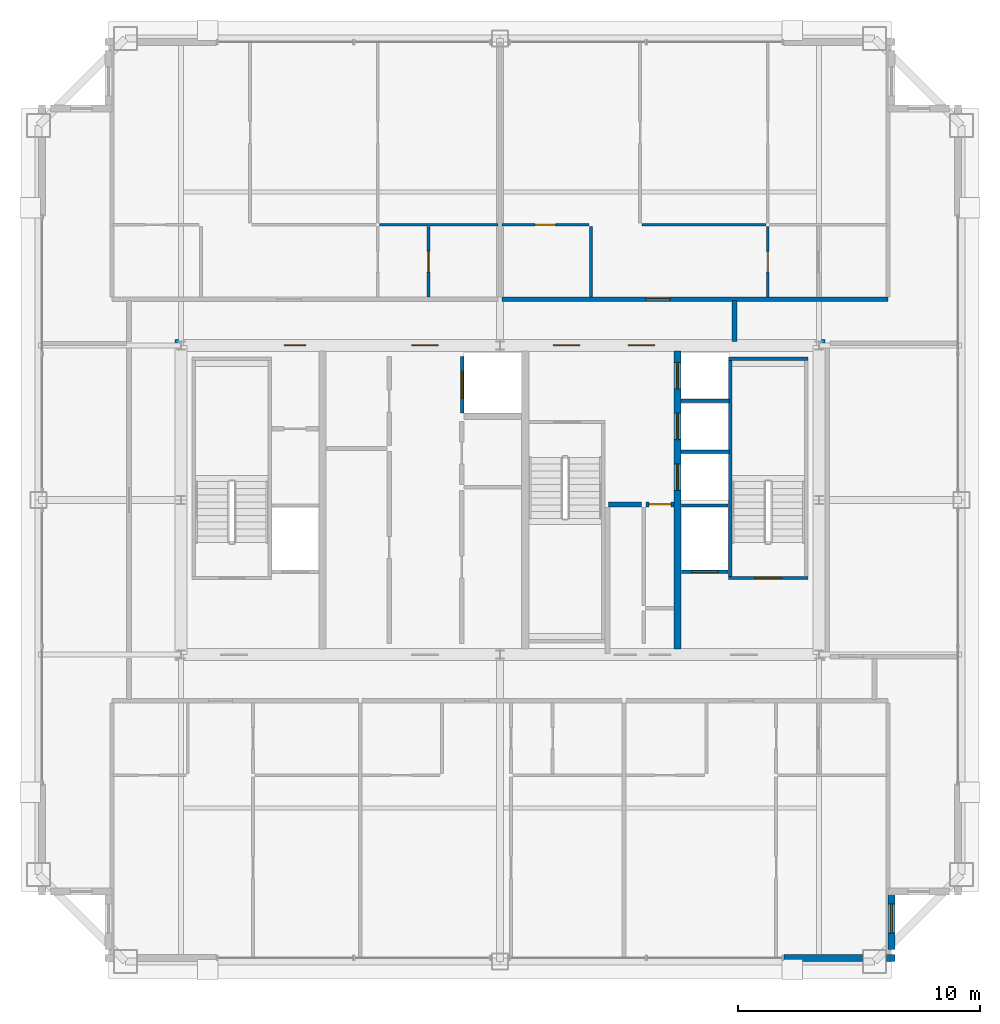
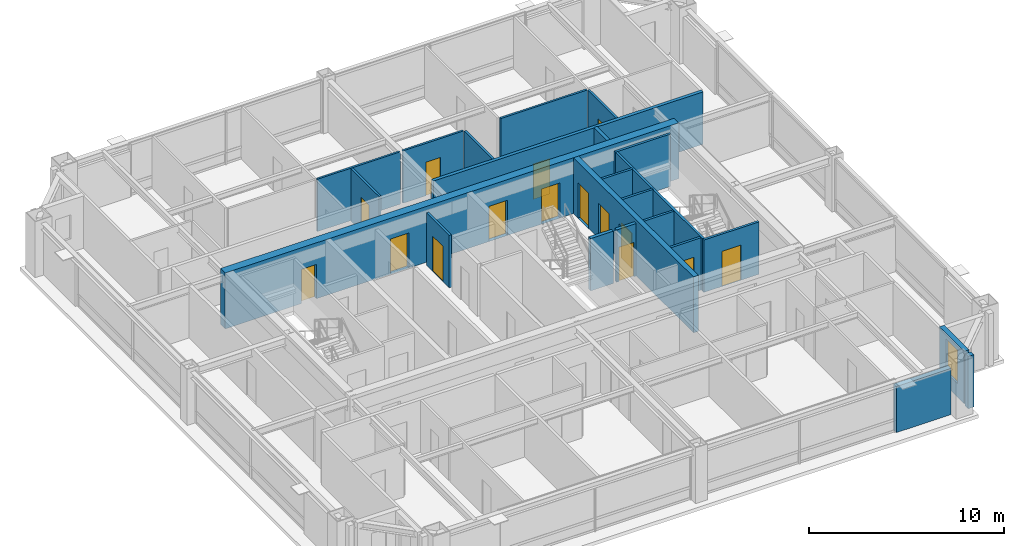
# One storey, part 32 of 35: 23 walls, 15 doors, 1 window, 16 openings.
"""IFC4 building model written with IfcOpenShell, lengths in metres."""

from ifc_helpers import new_model, si_unit, direction, frame, frame_2d, origin, place, context, subcontext, project, spatial, rectangle, extrude, source, transform, mapped, material, layer, layer_set, type_object, element, fill, save


model = new_model("IFC4")

# Units and contexts
model_context = context("Model", 3, precision=1e-05, world=origin(), true_north=direction((0.0, 1.0)))
body_context = subcontext(model_context, "Body", "Model", "MODEL_VIEW")
ifc_project = project(units=[si_unit("LENGTHUNIT", "METRE"), si_unit("AREAUNIT", "SQUARE_METRE"), si_unit("VOLUMEUNIT", "CUBIC_METRE"), si_unit("PLANEANGLEUNIT", "RADIAN"), si_unit("MASSUNIT", "GRAM", prefix="KILO"), si_unit("THERMODYNAMICTEMPERATUREUNIT", "KELVIN"), si_unit("POWERUNIT", "WATT")], contexts=[model_context])

# Site, building, storey
site_placement = place(None, origin())
site = spatial("IfcSite", under=ifc_project, at=site_placement, CompositionType="ELEMENT")
building_placement = place(site_placement, origin())
building = spatial("IfcBuilding", under=site, at=building_placement, Name="Yuzanri Waterfront Tower", CompositionType="ELEMENT")
storey_placement = place(building_placement, frame((0.0, 0.0, 311.199951171875)))
storey = spatial("IfcBuildingStorey", under=building, at=storey_placement, Name="L83", CompositionType="ELEMENT", Elevation=311.199951171875)

# Wall, opening, door
ifc_material_1 = material(Name="Moisture-Resistant Gypsum Stud Wall", Category="gypsum")
ifc_layer_1 = layer(ifc_material_1, 0.1201171875)
ifc_layer_set_1 = layer_set([ifc_layer_1], Name="Moisture-Resistant Gypsum Stud Wall")
wall_type_1 = type_object("IfcWallType", Name="Bathroom and Kitchen Wet Partition 120", PredefinedType="PARTITIONING", material=ifc_layer_set_1)
wall_1_placement = place(storey_placement, frame((34.0400390625, 34.2099609375, 0.0), z_axis=(0.0, 0.0, 1.0), x_axis=(0.0, 1.0, 0.0)))
wall_1 = element("IfcWall", 1, at=wall_1_placement, inside=storey, type_object=wall_type_1, Name="L83 Partition UW-L83-HN1-SUB-2-W", PredefinedType="PARTITIONING", context=body_context, shape_type="SweptSolid", body=[
    extrude(rectangle(XDim=2.900146484375, YDim=0.1201171875, at=frame_2d((1.4501953125, 0.0))), origin(), (0.0, 0.0, 1.0), 3.280029296875),
])
opening_1_placement = place(wall_1_placement, frame((1.02490234375, 0.0, 0.0)))
opening_1 = element("IfcOpeningElement", 2, at=opening_1_placement, cuts=wall_1, Name="Opening ID-0850", PredefinedType="OPENING", context=body_context, shape_type="SweptSolid", body=[
    extrude(rectangle(XDim=0.85009765625, YDim=2.10009765625, at=frame_2d((0.425048828125, 1.050048828125))), frame((0.0, 0.074951171875, 0.0), z_axis=(0.0, -1.0, 0.0), x_axis=(1.0, 0.0, 0.0)), (0.0, 0.0, 1.0), 0.14990234375),
])
ifc_material_2 = material(Name="Moisture-Resistant Lacquered Timber", Category="wood")
door_type_1 = type_object("IfcDoorType", Name="En-Suite Bathroom and Kitchen Swing Door 850x2100", OperationType="NOTDEFINED", PredefinedType="DOOR", material=ifc_material_2)
shared_shape_1 = source(origin(), body_context, "Body", "SweptSolid", [
    extrude(rectangle(XDim=0.85009765625, YDim=2.10009765625, at=frame_2d((0.425048828125, 1.050048828125))), frame((0.0, 0.02490234375, 0.0), z_axis=(0.0, -1.0, 0.0), x_axis=(1.0, 0.0, 0.0)), (0.0, 0.0, 1.0), 0.050048828125),
])
door_1_placement = place(opening_1_placement, origin())
door_1 = element("IfcDoor", 3, at=door_1_placement, inside=storey, type_object=door_type_1, Name="L83 Suite Interior Room Door", OperationType="SINGLE_SWING_RIGHT", OverallHeight=2.10009765625, OverallWidth=0.85009765625, PredefinedType="DOOR", context=body_context, shape_type="MappedRepresentation", body=[
    mapped(shared_shape_1, transform((0.0, 0.0, 0.0), scale=1.0)),
])
fill(opening_1, door_1)

wall_2_placement = place(storey_placement, frame((37.080078125, 37.18994140625, 0.0), z_axis=(0.0, 0.0, 1.0), x_axis=(1.0, 0.0, 0.0)))
wall_2 = element("IfcWall", 4, at=wall_2_placement, inside=storey, type_object=wall_type_1, Name="L83 Partition UW-L83-HN2-SUB-1-N", PredefinedType="PARTITIONING", context=body_context, shape_type="SweptSolid", body=[
    extrude(rectangle(XDim=3.599853515625, YDim=0.1201171875, at=frame_2d((1.7998046875, 0.0))), origin(), (0.0, 0.0, 1.0), 3.280029296875),
])
opening_2_placement = place(wall_2_placement, frame((1.375, 0.0, 0.0)))
opening_2 = element("IfcOpeningElement", 5, at=opening_2_placement, cuts=wall_2, Name="Opening ID-0850", PredefinedType="OPENING", context=body_context, shape_type="SweptSolid", body=[
    extrude(rectangle(XDim=0.85009765625, YDim=2.10009765625, at=frame_2d((0.425048828125, 1.050048828125))), frame((0.0, 0.074951171875, 0.0), z_axis=(0.0, -1.0, 0.0), x_axis=(1.0, 0.0, 0.0)), (0.0, 0.0, 1.0), 0.14990234375),
])
door_2_placement = place(opening_2_placement, origin())
door_2 = element("IfcDoor", 6, at=door_2_placement, inside=storey, type_object=door_type_1, Name="L83 Suite Interior Room Door", OperationType="SINGLE_SWING_LEFT", OverallHeight=2.10009765625, OverallWidth=0.85009765625, PredefinedType="DOOR", context=body_context, shape_type="MappedRepresentation", body=[
    mapped(shared_shape_1, transform((0.0, 0.0, 0.0), scale=1.0)),
])
fill(opening_2, door_2)

wall_3_placement = place(storey_placement, frame((48.08203125, 34.2099609375, 0.0), z_axis=(0.0, 0.0, 1.0), x_axis=(0.0, 1.0, 0.0)))
wall_3 = element("IfcWall", 7, at=wall_3_placement, inside=storey, type_object=wall_type_1, Name="L83 Partition UW-L83-HN2-SUB-4-W", PredefinedType="PARTITIONING", context=body_context, shape_type="SweptSolid", body=[
    extrude(rectangle(XDim=2.900146484375, YDim=0.1201171875, at=frame_2d((1.4501953125, 0.0))), origin(), (0.0, 0.0, 1.0), 3.280029296875),
])
opening_3_placement = place(wall_3_placement, frame((1.02490234375, 0.0, 0.0)))
opening_3 = element("IfcOpeningElement", 8, at=opening_3_placement, cuts=wall_3, Name="Opening ID-0850", PredefinedType="OPENING", context=body_context, shape_type="SweptSolid", body=[
    extrude(rectangle(XDim=0.85009765625, YDim=2.10009765625, at=frame_2d((0.425048828125, 1.050048828125))), frame((0.0, 0.074951171875, 0.0), z_axis=(0.0, -1.0, 0.0), x_axis=(1.0, 0.0, 0.0)), (0.0, 0.0, 1.0), 0.14990234375),
])
door_3_placement = place(opening_3_placement, origin())
door_3 = element("IfcDoor", 9, at=door_3_placement, inside=storey, type_object=door_type_1, Name="L83 Suite Interior Room Door", OperationType="SINGLE_SWING_RIGHT", OverallHeight=2.10009765625, OverallWidth=0.85009765625, PredefinedType="DOOR", context=body_context, shape_type="MappedRepresentation", body=[
    mapped(shared_shape_1, transform((0.0, 0.0, 0.0), scale=1.0)),
])
fill(opening_3, door_3)

# Wall, opening, window
ifc_material_3 = material(Name="Honed Chongqing Dark Basalt Stone", Category="masonry")
ifc_layer_2 = layer(ifc_material_3, 0.300048828125)
ifc_layer_set_2 = layer_set([ifc_layer_2], Name="Honed Chongqing Dark Basalt Stone")
wall_type_2 = type_object("IfcWallType", Name="Bronze Rainscreen Insulated Spandrel Portal Wall 300", PredefinedType="SOLIDWALL", material=ifc_layer_set_2)
wall_4_placement = place(storey_placement, frame((53.199951171875, 7.199951171875, 0.0), z_axis=(0.0, 0.0, 1.0), x_axis=(0.0, 1.0, 0.0)))
wall_4 = element("IfcWall", 10, at=wall_4_placement, inside=storey, type_object=wall_type_2, Name="L83 Notched Corner Masonry Wall SE-Y", PredefinedType="SOLIDWALL", context=body_context, shape_type="SweptSolid", body=[
    extrude(rectangle(XDim=2.550048828125, YDim=0.300048828125, at=frame_2d((1.27490234375, 0.0))), origin(), (0.0, 0.0, 1.0), 3.280029296875),
])
opening_4_placement = place(wall_4_placement, frame((0.675048828125, 0.0, 0.85009765625)))
opening_4 = element("IfcOpeningElement", 11, at=opening_4_placement, cuts=wall_4, Name="Opening WN-02", PredefinedType="OPENING", context=body_context, shape_type="SweptSolid", body=[
    extrude(rectangle(XDim=1.199951171875, YDim=2.10009765625, at=frame_2d((0.60009765625, 1.050048828125))), frame((0.0, 0.1650390625, 0.0), z_axis=(0.0, -1.0, 0.0), x_axis=(1.0, 0.0, 0.0)), (0.0, 0.0, 1.0), 0.329833984375),
])
ifc_material_4 = material(Name="Double-Silver Low-E Insulated Glass", Category="glass")
window_type = type_object("IfcWindowType", Name="Anodized Bronze Notched Corner Deep-Set Slot Window 1200x2100", PartitioningType="SINGLE_PANEL", PredefinedType="WINDOW", material=ifc_material_4)
shared_shape_2 = source(origin(), body_context, "Body", "SweptSolid", [
    extrude(rectangle(XDim=1.199951171875, YDim=2.10009765625, at=frame_2d((0.60009765625, 1.050048828125))), frame((0.0, 0.030029296875, 0.0), z_axis=(0.0, -1.0, 0.0), x_axis=(1.0, 0.0, 0.0)), (0.0, 0.0, 1.0), 0.06005859375),
])
window_placement = place(opening_4_placement, origin())
window = element("IfcWindow", 12, at=window_placement, inside=storey, type_object=window_type, Name="L83 Notched Corner Window SE-Y", OverallHeight=2.10009765625, OverallWidth=1.199951171875, PartitioningType="SINGLE_PANEL", PredefinedType="WINDOW", context=body_context, shape_type="MappedRepresentation", body=[
    mapped(shared_shape_2, transform((0.0, 0.0, 0.0), scale=1.0)),
])
fill(opening_4, window)

# Wall, openings, doors
ifc_material_5 = material(Name="Concrete C45", Category="concrete")
ifc_layer_3 = layer(ifc_material_5, 0.47998046875)
ifc_layer_set_3 = layer_set([ifc_layer_3], Name="Concrete C45")
wall_type_3 = type_object("IfcWallType", Name="Concrete C45 High-Rise Core Shear Wall 480", PredefinedType="SHEAR", material=ifc_layer_set_3)
wall_5_placement = place(storey_placement, frame((23.56005859375, 32.199951171875, 0.0), z_axis=(0.0, 0.0, 1.0), x_axis=(1.0, 0.0, 0.0)))
wall_5 = element("IfcWall", 13, at=wall_5_placement, inside=storey, type_object=wall_type_3, Name="L83 Core North Shear Wall", PredefinedType="SHEAR", context=body_context, shape_type="SweptSolid", body=[
    extrude(rectangle(XDim=26.8798828125, YDim=0.47998046875, at=frame_2d((13.43994140625, 0.0))), origin(), (0.0, 0.0, 1.0), 3.5),
])
opening_5_placement = place(wall_5_placement, frame((4.510009765625, 0.0, 0.0)))
opening_5 = element("IfcOpeningElement", 14, at=opening_5_placement, cuts=wall_5, Name="Opening FD-0900", PredefinedType="OPENING", context=body_context, shape_type="SweptSolid", body=[
    extrude(rectangle(XDim=0.89990234375, YDim=2.14990234375, at=frame_2d((0.449951171875, 1.074951171875))), frame((0.0, 0.2548828125, 0.0), z_axis=(0.0, -1.0, 0.0), x_axis=(1.0, 0.0, 0.0)), (0.0, 0.0, 1.0), 0.509765625),
])
opening_6_placement = place(wall_5_placement, frame((9.7900390625, 0.0, 0.0)))
opening_6 = element("IfcOpeningElement", 15, at=opening_6_placement, cuts=wall_5, Name="Opening FD-1100", PredefinedType="OPENING", context=body_context, shape_type="SweptSolid", body=[
    extrude(rectangle(XDim=1.10009765625, YDim=2.199951171875, at=frame_2d((0.550048828125, 1.10009765625))), frame((0.0, 0.2548828125, 0.0), z_axis=(0.0, -1.0, 0.0), x_axis=(1.0, 0.0, 0.0)), (0.0, 0.0, 1.0), 0.509765625),
])
opening_7_placement = place(wall_5_placement, frame((15.639892578125, 0.0, 0.0)))
opening_7 = element("IfcOpeningElement", 16, at=opening_7_placement, cuts=wall_5, Name="Opening FD-1100", PredefinedType="OPENING", context=body_context, shape_type="SweptSolid", body=[
    extrude(rectangle(XDim=1.10009765625, YDim=2.199951171875, at=frame_2d((0.550048828125, 1.10009765625))), frame((0.0, 0.2548828125, 0.0), z_axis=(0.0, -1.0, 0.0), x_axis=(1.0, 0.0, 0.0)), (0.0, 0.0, 1.0), 0.509765625),
])
opening_8_placement = place(wall_5_placement, frame((18.739990234375, 0.0, 0.0)))
opening_8 = element("IfcOpeningElement", 17, at=opening_8_placement, cuts=wall_5, Name="Opening FD-1100", PredefinedType="OPENING", context=body_context, shape_type="SweptSolid", body=[
    extrude(rectangle(XDim=1.10009765625, YDim=2.199951171875, at=frame_2d((0.550048828125, 1.10009765625))), frame((0.0, 0.2548828125, 0.0), z_axis=(0.0, -1.0, 0.0), x_axis=(1.0, 0.0, 0.0)), (0.0, 0.0, 1.0), 0.509765625),
])
ifc_material_6 = material(Name="Painted Galvanized Fire Steel", Category="steel")
door_type_2 = type_object("IfcDoorType", Name="Smoke-Proof Stair and Lobby Fire Door 1100x2200", OperationType="NOTDEFINED", PredefinedType="DOOR", material=ifc_material_6)
shared_shape_3 = source(origin(), body_context, "Body", "SweptSolid", [
    extrude(rectangle(XDim=1.10009765625, YDim=2.199951171875, at=frame_2d((0.550048828125, 1.10009765625))), frame((0.0, 0.02490234375, 0.0), z_axis=(0.0, -1.0, 0.0), x_axis=(1.0, 0.0, 0.0)), (0.0, 0.0, 1.0), 0.050048828125),
])
door_4_placement = place(opening_6_placement, origin())
door_4 = element("IfcDoor", 18, at=door_4_placement, inside=storey, type_object=door_type_2, Name="L83 Central Lift Lobby North Door", OperationType="SINGLE_SWING_LEFT", OverallHeight=2.199951171875, OverallWidth=1.10009765625, PredefinedType="DOOR", context=body_context, shape_type="MappedRepresentation", body=[
    mapped(shared_shape_3, transform((0.0, 0.0, 0.0), scale=1.0)),
])
fill(opening_6, door_4)
door_5_placement = place(opening_7_placement, origin())
door_5 = element("IfcDoor", 19, at=door_5_placement, inside=storey, type_object=door_type_2, Name="L83 North Stair Lobby Door", OperationType="SINGLE_SWING_RIGHT", OverallHeight=2.199951171875, OverallWidth=1.10009765625, PredefinedType="DOOR", context=body_context, shape_type="MappedRepresentation", body=[
    mapped(shared_shape_3, transform((0.0, 0.0, 0.0), scale=1.0)),
])
fill(opening_7, door_5)
door_6_placement = place(opening_8_placement, origin())
door_6 = element("IfcDoor", 20, at=door_6_placement, inside=storey, type_object=door_type_2, Name="L83 High-Rise Lift Lobby North Door", OperationType="SINGLE_SWING_LEFT", OverallHeight=2.199951171875, OverallWidth=1.10009765625, PredefinedType="DOOR", context=body_context, shape_type="MappedRepresentation", body=[
    mapped(shared_shape_3, transform((0.0, 0.0, 0.0), scale=1.0)),
])
fill(opening_8, door_6)
ifc_material_7 = material(Name="Painted Galvanized Fire Steel", Category="steel")
door_type_3 = type_object("IfcDoorType", Name="Riser and Service Room Fire Door 900x2150", OperationType="NOTDEFINED", PredefinedType="DOOR", material=ifc_material_7)
shared_shape_4 = source(origin(), body_context, "Body", "SweptSolid", [
    extrude(rectangle(XDim=0.89990234375, YDim=2.14990234375, at=frame_2d((0.449951171875, 1.074951171875))), frame((0.0, 0.02490234375, 0.0), z_axis=(0.0, -1.0, 0.0), x_axis=(1.0, 0.0, 0.0)), (0.0, 0.0, 1.0), 0.050048828125),
])
door_7_placement = place(opening_5_placement, origin())
door_7 = element("IfcDoor", 21, at=door_7_placement, inside=storey, type_object=door_type_3, Name="L83 Telecom Riser Door", OperationType="SINGLE_SWING_RIGHT", OverallHeight=2.14990234375, OverallWidth=0.89990234375, PredefinedType="DOOR", context=body_context, shape_type="MappedRepresentation", body=[
    mapped(shared_shape_4, transform((0.0, 0.0, 0.0), scale=1.0)),
])
fill(opening_5, door_7)

ifc_material_8 = material(Name="Concrete C50", Category="concrete")
ifc_layer_4 = layer(ifc_material_8, 0.300048828125)
ifc_layer_set_4 = layer_set([ifc_layer_4], Name="Concrete C50")
wall_type_4 = type_object("IfcWallType", Name="Concrete C50 Internal Core Shaft Structural Wall 300", PredefinedType="SOLIDWALL", material=ifc_layer_set_4)
wall_6_placement = place(storey_placement, frame((44.35009765625, 19.639892578125, 0.0), z_axis=(0.0, 0.0, 1.0), x_axis=(0.0, 1.0, 0.0)))
wall_6 = element("IfcWall", 22, at=wall_6_placement, inside=storey, type_object=wall_type_4, Name="L83 Core Internal Structural Web Wall 3", PredefinedType="SOLIDWALL", context=body_context, shape_type="SweptSolid", body=[
    extrude(rectangle(XDim=12.320068359375, YDim=0.300048828125, at=frame_2d((6.16015625, 0.0))), origin(), (0.0, 0.0, 1.0), 3.5),
])
opening_9_placement = place(wall_6_placement, frame((6.56005859375, 0.0, 0.0)))
opening_9 = element("IfcOpeningElement", 23, at=opening_9_placement, cuts=wall_6, Name="Opening LD-PL-09", PredefinedType="OPENING", context=body_context, shape_type="SweptSolid", body=[
    extrude(rectangle(XDim=1.10009765625, YDim=2.199951171875, at=frame_2d((0.550048828125, 1.10009765625))), frame((0.0, 0.1650390625, 0.0), z_axis=(0.0, -1.0, 0.0), x_axis=(1.0, 0.0, 0.0)), (0.0, 0.0, 1.0), 0.329833984375),
])
opening_10_placement = place(wall_6_placement, frame((8.659912109375, 0.0, 0.0)))
opening_10 = element("IfcOpeningElement", 24, at=opening_10_placement, cuts=wall_6, Name="Opening LD-PL-10", PredefinedType="OPENING", context=body_context, shape_type="SweptSolid", body=[
    extrude(rectangle(XDim=1.10009765625, YDim=2.199951171875, at=frame_2d((0.550048828125, 1.10009765625))), frame((0.0, 0.1650390625, 0.0), z_axis=(0.0, -1.0, 0.0), x_axis=(1.0, 0.0, 0.0)), (0.0, 0.0, 1.0), 0.329833984375),
])
opening_11_placement = place(wall_6_placement, frame((10.760009765625, 0.0, 0.0)))
opening_11 = element("IfcOpeningElement", 25, at=opening_11_placement, cuts=wall_6, Name="Opening LD-PL-11", PredefinedType="OPENING", context=body_context, shape_type="SweptSolid", body=[
    extrude(rectangle(XDim=1.10009765625, YDim=2.199951171875, at=frame_2d((0.550048828125, 1.10009765625))), frame((0.0, 0.1650390625, 0.0), z_axis=(0.0, -1.0, 0.0), x_axis=(1.0, 0.0, 0.0)), (0.0, 0.0, 1.0), 0.329833984375),
])
ifc_material_9 = material(Name="Brushed Bronze and Stainless Steel Cab", Category="steel")
door_type_4 = type_object("IfcDoorType", Name="Center-Parting Bronze Lift Landing Sliding Door 1100x2200", OperationType="NOTDEFINED", PredefinedType="DOOR", material=ifc_material_9)
shared_shape_5 = source(origin(), body_context, "Body", "SweptSolid", [
    extrude(rectangle(XDim=1.10009765625, YDim=2.199951171875, at=frame_2d((0.550048828125, 1.10009765625))), frame((0.0, 0.02490234375, 0.0), z_axis=(0.0, -1.0, 0.0), x_axis=(1.0, 0.0, 0.0)), (0.0, 0.0, 1.0), 0.050048828125),
])
door_8_placement = place(opening_9_placement, origin())
door_8 = element("IfcDoor", 26, at=door_8_placement, inside=storey, type_object=door_type_4, Name="L83 PL-09 Lift Landing Sliding Door", OperationType="SLIDING_TO_LEFT", OverallHeight=2.199951171875, OverallWidth=1.10009765625, PredefinedType="DOOR", context=body_context, shape_type="MappedRepresentation", body=[
    mapped(shared_shape_5, transform((0.0, 0.0, 0.0), scale=1.0)),
])
fill(opening_9, door_8)
door_9_placement = place(opening_10_placement, origin())
door_9 = element("IfcDoor", 27, at=door_9_placement, inside=storey, type_object=door_type_4, Name="L83 PL-10 Lift Landing Sliding Door", OperationType="SLIDING_TO_RIGHT", OverallHeight=2.199951171875, OverallWidth=1.10009765625, PredefinedType="DOOR", context=body_context, shape_type="MappedRepresentation", body=[
    mapped(shared_shape_5, transform((0.0, 0.0, 0.0), scale=1.0)),
])
fill(opening_10, door_9)
door_10_placement = place(opening_11_placement, origin())
door_10 = element("IfcDoor", 28, at=door_10_placement, inside=storey, type_object=door_type_4, Name="L83 PL-11 Lift Landing Sliding Door", OperationType="SLIDING_TO_LEFT", OverallHeight=2.199951171875, OverallWidth=1.10009765625, PredefinedType="DOOR", context=body_context, shape_type="MappedRepresentation", body=[
    mapped(shared_shape_5, transform((0.0, 0.0, 0.0), scale=1.0)),
])
fill(opening_11, door_10)

# Wall, opening, door
ifc_material_10 = material(Name="Concrete C40", Category="concrete")
ifc_layer_5 = layer(ifc_material_10, 0.139892578125)
ifc_layer_set_5 = layer_set([ifc_layer_5], Name="Concrete C40")
wall_type_5 = type_object("IfcWallType", Name="Core Stair Liner and Hoistway Shaft Wall 140", PredefinedType="SOLIDWALL", material=ifc_layer_set_5)
wall_7_placement = place(storey_placement, frame((44.52001953125, 22.830078125, 0.0), z_axis=(0.0, 0.0, 1.0), x_axis=(1.0, 0.0, 0.0)))
wall_7 = element("IfcWall", 29, at=wall_7_placement, inside=storey, type_object=wall_type_5, Name="L83 Lift FL-02 Front Shaft Wall", PredefinedType="SOLIDWALL", context=body_context, shape_type="SweptSolid", body=[
    extrude(rectangle(XDim=1.919921875, YDim=0.139892578125, at=frame_2d((0.9599609375, 0.0))), origin(), (0.0, 0.0, 1.0), 3.280029296875),
])
opening_12_placement = place(wall_7_placement, frame((0.409912109375, 0.0, 0.0)))
opening_12 = element("IfcOpeningElement", 30, at=opening_12_placement, cuts=wall_7, Name="Opening LD-FL-02", PredefinedType="OPENING", context=body_context, shape_type="SweptSolid", body=[
    extrude(rectangle(XDim=1.10009765625, YDim=2.199951171875, at=frame_2d((0.550048828125, 1.10009765625))), frame((0.0, 0.0849609375, 0.0), z_axis=(0.0, -1.0, 0.0), x_axis=(1.0, 0.0, 0.0)), (0.0, 0.0, 1.0), 0.169677734375),
])
door_11_placement = place(opening_12_placement, origin())
door_11 = element("IfcDoor", 31, at=door_11_placement, inside=storey, type_object=door_type_4, Name="L83 FL-02 Lift Landing Sliding Door", OperationType="SLIDING_TO_RIGHT", OverallHeight=2.199951171875, OverallWidth=1.10009765625, PredefinedType="DOOR", context=body_context, shape_type="MappedRepresentation", body=[
    mapped(shared_shape_5, transform((0.0, 0.0, 0.0), scale=1.0)),
])
fill(opening_12, door_11)

wall_8_placement = place(storey_placement, frame((35.429931640625, 29.39990234375, 0.0), z_axis=(0.0, 0.0, 1.0), x_axis=(0.0, 1.0, 0.0)))
wall_8 = element("IfcWall", 32, at=wall_8_placement, inside=storey, type_object=wall_type_5, Name="L83 Lift SL-02 Front Shaft Wall", PredefinedType="SOLIDWALL", context=body_context, shape_type="SweptSolid", body=[
    extrude(rectangle(XDim=2.340087890625, YDim=0.139892578125, at=frame_2d((1.169921875, 0.0))), origin(), (0.0, 0.0, 1.0), 3.280029296875),
])
opening_13_placement = place(wall_8_placement, frame((0.6201171875, 0.0, 0.0)))
opening_13 = element("IfcOpeningElement", 33, at=opening_13_placement, cuts=wall_8, Name="Opening LD-SL-02", PredefinedType="OPENING", context=body_context, shape_type="SweptSolid", body=[
    extrude(rectangle(XDim=1.10009765625, YDim=2.199951171875, at=frame_2d((0.550048828125, 1.10009765625))), frame((0.0, 0.0849609375, 0.0), z_axis=(0.0, -1.0, 0.0), x_axis=(1.0, 0.0, 0.0)), (0.0, 0.0, 1.0), 0.169677734375),
])
door_12_placement = place(opening_13_placement, origin())
door_12 = element("IfcDoor", 34, at=door_12_placement, inside=storey, type_object=door_type_4, Name="L83 SL-02 Lift Landing Sliding Door", OperationType="SLIDING_TO_RIGHT", OverallHeight=2.199951171875, OverallWidth=1.10009765625, PredefinedType="DOOR", context=body_context, shape_type="MappedRepresentation", body=[
    mapped(shared_shape_5, transform((0.0, 0.0, 0.0), scale=1.0)),
])
fill(opening_13, door_12)

wall_9_placement = place(storey_placement, frame((46.4599609375, 22.570068359375, 0.0), z_axis=(0.0, 0.0, 1.0), x_axis=(1.0, 0.0, 0.0)))
wall_9 = element("IfcWall", 35, at=wall_9_placement, inside=storey, type_object=wall_type_5, Name="L83 Shaft Wall STW-L83-ST-02-S", PredefinedType="SOLIDWALL", context=body_context, shape_type="SweptSolid", body=[
    extrude(rectangle(XDim=3.280029296875, YDim=0.139892578125, at=frame_2d((1.64013671875, 0.0))), origin(), (0.0, 0.0, 1.0), 3.280029296875),
])
opening_14_placement = place(wall_9_placement, frame((1.090087890625, 0.0, 0.0)))
opening_14 = element("IfcOpeningElement", 36, at=opening_14_placement, cuts=wall_9, Name="Opening FD-1100", PredefinedType="OPENING", context=body_context, shape_type="SweptSolid", body=[
    extrude(rectangle(XDim=1.10009765625, YDim=2.199951171875, at=frame_2d((0.550048828125, 1.10009765625))), frame((0.0, 0.0849609375, 0.0), z_axis=(0.0, -1.0, 0.0), x_axis=(1.0, 0.0, 0.0)), (0.0, 0.0, 1.0), 0.169677734375),
])
door_13_placement = place(opening_14_placement, origin())
door_13 = element("IfcDoor", 37, at=door_13_placement, inside=storey, type_object=door_type_2, Name="L83 Stair ST-02 Fire Door", OperationType="SINGLE_SWING_LEFT", OverallHeight=2.199951171875, OverallWidth=1.10009765625, PredefinedType="DOOR", context=body_context, shape_type="MappedRepresentation", body=[
    mapped(shared_shape_3, transform((0.0, 0.0, 0.0), scale=1.0)),
])
fill(opening_14, door_13)

ifc_material_11 = material(Name="Autoclaved Aerated Concrete Blockwork", Category="masonry")
ifc_layer_6 = layer(ifc_material_11, 0.199951171875)
ifc_layer_set_6 = layer_set([ifc_layer_6], Name="Autoclaved Aerated Concrete Blockwork")
wall_type_6 = type_object("IfcWallType", Name="Corridor and Unit Party Fire Wall 200", PredefinedType="PARTITIONING", material=ifc_layer_set_6)
wall_10_placement = place(storey_placement, frame((43.050048828125, 25.6201171875, 0.0), z_axis=(0.0, 0.0, 1.0), x_axis=(1.0, 0.0, 0.0)))
wall_10 = element("IfcWall", 38, at=wall_10_placement, inside=storey, type_object=wall_type_6, Name="L83 Partition CRW-L83-BOHH-2", PredefinedType="PARTITIONING", context=body_context, shape_type="SweptSolid", body=[
    extrude(rectangle(XDim=1.14990234375, YDim=0.199951171875, at=frame_2d((0.574951171875, 0.0))), origin(), (0.0, 0.0, 1.0), 3.280029296875),
])
opening_15_placement = place(wall_10_placement, frame((0.1201171875, 0.0, 0.0)))
opening_15 = element("IfcOpeningElement", 39, at=opening_15_placement, cuts=wall_10, Name="Opening FD-0900", PredefinedType="OPENING", context=body_context, shape_type="SweptSolid", body=[
    extrude(rectangle(XDim=0.89990234375, YDim=2.14990234375, at=frame_2d((0.449951171875, 1.074951171875))), frame((0.0, 0.11474609375, 0.0), z_axis=(0.0, -1.0, 0.0), x_axis=(1.0, 0.0, 0.0)), (0.0, 0.0, 1.0), 0.229736328125),
])
door_14_placement = place(opening_15_placement, origin())
door_14 = element("IfcDoor", 40, at=door_14_placement, inside=storey, type_object=door_type_3, Name="L83 Linen Store Room", OperationType="SINGLE_SWING_LEFT", OverallHeight=2.14990234375, OverallWidth=0.89990234375, PredefinedType="DOOR", context=body_context, shape_type="MappedRepresentation", body=[
    mapped(shared_shape_4, transform((0.0, 0.0, 0.0), scale=1.0)),
])
fill(opening_15, door_14)

wall_11_placement = place(storey_placement, frame((37.080078125, 34.110107421875, 0.0), z_axis=(0.0, 0.0, 1.0), x_axis=(1.0, 0.0, 0.0)))
wall_11 = element("IfcWall", 41, at=wall_11_placement, inside=storey, type_object=wall_type_6, Name="L83 Partition UW-L83-HN2-CS", PredefinedType="PARTITIONING", context=body_context, shape_type="SweptSolid", body=[
    extrude(rectangle(XDim=15.97998046875, YDim=0.199951171875, at=frame_2d((7.989990234375, 0.0))), origin(), (0.0, 0.0, 1.0), 3.280029296875),
])
opening_16_placement = place(wall_11_placement, frame((5.965087890625, 0.0, 0.0)))
opening_16 = element("IfcOpeningElement", 42, at=opening_16_placement, cuts=wall_11, Name="Opening FD-1000", PredefinedType="OPENING", context=body_context, shape_type="SweptSolid", body=[
    extrude(rectangle(XDim=1.0, YDim=2.199951171875, at=frame_2d((0.5, 1.10009765625))), frame((0.0, 0.11474609375, 0.0), z_axis=(0.0, -1.0, 0.0), x_axis=(1.0, 0.0, 0.0)), (0.0, 0.0, 1.0), 0.229736328125),
])
ifc_material_12 = material(Name="Engineered Oak Fire-Rated Timber", Category="wood")
door_type_5 = type_object("IfcDoorType", Name="Guestroom and Apartment Entrance Fire Door 1000x2200", OperationType="NOTDEFINED", PredefinedType="DOOR", material=ifc_material_12)
shared_shape_6 = source(origin(), body_context, "Body", "SweptSolid", [
    extrude(rectangle(XDim=1.0, YDim=2.199951171875, at=frame_2d((0.5, 1.10009765625))), frame((0.0, 0.02490234375, 0.0), z_axis=(0.0, -1.0, 0.0), x_axis=(1.0, 0.0, 0.0)), (0.0, 0.0, 1.0), 0.050048828125),
])
door_15_placement = place(opening_16_placement, origin())
door_15 = element("IfcDoor", 43, at=door_15_placement, inside=storey, type_object=door_type_5, Name="L83 Apartment Living Room Entrance Door", OperationType="SINGLE_SWING_RIGHT", OverallHeight=2.199951171875, OverallWidth=1.0, PredefinedType="DOOR", context=body_context, shape_type="MappedRepresentation", body=[
    mapped(shared_shape_6, transform((0.0, 0.0, 0.0), scale=1.0)),
])
fill(opening_16, door_15)

# Walls
shared_shape_7 = source(origin(), body_context, "Body", "SweptSolid", [
    extrude(rectangle(XDim=3.25, YDim=0.300048828125, at=frame_2d((1.625, 0.0))), origin(), (0.0, 0.0, 1.0), 2.885009765625),
])
wall_12_placement = place(storey_placement, frame((48.75, 6.85009765625, 0.0), z_axis=(0.0, 0.0, 1.0), x_axis=(1.0, 0.0, 0.0)))
element("IfcWall", 44, at=wall_12_placement, inside=storey, type_object=wall_type_2, Name="L83 S Right Braced Masonry Shoulder", PredefinedType="SOLIDWALL", context=body_context, shape_type="MappedRepresentation", body=[
    mapped(shared_shape_7, transform((0.0, 0.0, 0.0), scale=1.0)),
])
shared_shape_8 = source(origin(), body_context, "Body", "SweptSolid", [
    extrude(rectangle(XDim=0.35009765625, YDim=0.300048828125, at=frame_2d((0.175048828125, 0.0))), origin(), (0.0, 0.0, 1.0), 3.280029296875),
])
wall_13_placement = place(storey_placement, frame((53.0, 6.85009765625, 0.0), z_axis=(0.0, 0.0, 1.0), x_axis=(1.0, 0.0, 0.0)))
element("IfcWall", 45, at=wall_13_placement, inside=storey, type_object=wall_type_2, Name="L83 Corner Column Shoulder Return CSE", PredefinedType="SOLIDWALL", context=body_context, shape_type="MappedRepresentation", body=[
    mapped(shared_shape_8, transform((0.0, 0.0, 0.0), scale=1.0)),
])
shared_shape_9 = source(origin(), body_context, "Body", "SweptSolid", [
    extrude(rectangle(XDim=1.919921875, YDim=0.139892578125, at=frame_2d((0.9599609375, 0.0))), origin(), (0.0, 0.0, 1.0), 3.280029296875),
])
wall_14_placement = place(storey_placement, frame((44.52001953125, 25.570068359375, 0.0), z_axis=(0.0, 0.0, 1.0), x_axis=(1.0, 0.0, 0.0)))
element("IfcWall", 46, at=wall_14_placement, inside=storey, type_object=wall_type_5, Name="L83 Lift FL-02 Back Shaft Wall", PredefinedType="SOLIDWALL", context=body_context, shape_type="MappedRepresentation", body=[
    mapped(shared_shape_9, transform((0.0, 0.0, 0.0), scale=1.0)),
])
shared_shape_10 = source(origin(), body_context, "Body", "SweptSolid", [
    extrude(rectangle(XDim=2.0, YDim=0.139892578125, at=frame_2d((1.0, 0.0))), origin(), (0.0, 0.0, 1.0), 3.280029296875),
])
for number, where, z_axis, x_axis, name in (
    (47, (44.5, 27.800048828125, 0.0), (0.0, 0.0, 1.0), (1.0, 0.0, 0.0), "L83 Lift PL-09 Divider Wall"),
    (48, (44.5, 29.89990234375, 0.0), (0.0, 0.0, 1.0), (1.0, 0.0, 0.0), "L83 Lift PL-10 Divider Wall"),
):
    element("IfcWall", number, at=place(storey_placement, frame(where, z_axis=z_axis, x_axis=x_axis)), inside=storey, type_object=wall_type_5, Name=name, PredefinedType="SOLIDWALL", context=body_context, shape_type="MappedRepresentation", body=[
        mapped(shared_shape_10, transform((0.0, 0.0, 0.0), scale=1.0)),
    ])
shared_shape_11 = source(origin(), body_context, "Body", "SweptSolid", [
    extrude(rectangle(XDim=3.280029296875, YDim=0.139892578125, at=frame_2d((1.64013671875, 0.0))), origin(), (0.0, 0.0, 1.0), 3.280029296875),
])
wall_15_placement = place(storey_placement, frame((46.4599609375, 31.64990234375, 0.0), z_axis=(0.0, 0.0, 1.0), x_axis=(1.0, 0.0, 0.0)))
element("IfcWall", 49, at=wall_15_placement, inside=storey, type_object=wall_type_5, Name="L83 Stair ST-02 North Shaft Wall", PredefinedType="SOLIDWALL", context=body_context, shape_type="MappedRepresentation", body=[
    mapped(shared_shape_11, transform((0.0, 0.0, 0.0), scale=1.0)),
])
shared_shape_12 = source(origin(), body_context, "Body", "SweptSolid", [
    extrude(rectangle(XDim=8.940185546875, YDim=0.139892578125, at=frame_2d((4.47021484375, 0.0))), origin(), (0.0, 0.0, 1.0), 3.280029296875),
])
wall_16_placement = place(storey_placement, frame((46.530029296875, 22.639892578125, 0.0), z_axis=(0.0, 0.0, 1.0), x_axis=(0.0, 1.0, 0.0)))
element("IfcWall", 50, at=wall_16_placement, inside=storey, type_object=wall_type_5, Name="L83 Stair ST-02 West Shaft Wall", PredefinedType="SOLIDWALL", context=body_context, shape_type="MappedRepresentation", body=[
    mapped(shared_shape_12, transform((0.0, 0.0, 0.0), scale=1.0)),
])
shared_shape_13 = source(origin(), body_context, "Body", "SweptSolid", [
    extrude(rectangle(XDim=1.35009765625, YDim=0.199951171875, at=frame_2d((0.675048828125, 0.0))), origin(), (0.0, 0.0, 1.0), 3.280029296875),
])
wall_17_placement = place(storey_placement, frame((41.5, 25.6201171875, 0.0), z_axis=(0.0, 0.0, 1.0), x_axis=(1.0, 0.0, 0.0)))
element("IfcWall", 51, at=wall_17_placement, inside=storey, type_object=wall_type_6, Name="L83 Core BOH Split Wall 1", PredefinedType="PARTITIONING", context=body_context, shape_type="MappedRepresentation", body=[
    mapped(shared_shape_13, transform((0.0, 0.0, 0.0), scale=1.0)),
])
shared_shape_14 = source(origin(), body_context, "Body", "SweptSolid", [
    extrude(rectangle(XDim=1.699951171875, YDim=0.199951171875, at=frame_2d((0.85009765625, 0.0))), origin(), (0.0, 0.0, 1.0), 3.280029296875),
])
wall_18_placement = place(storey_placement, frame((46.699951171875, 32.35009765625, 0.0), z_axis=(0.0, 0.0, 1.0), x_axis=(0.0, 1.0, 0.0)))
element("IfcWall", 52, at=wall_18_placement, inside=storey, type_object=wall_type_6, Name="L83 North Foyer East End Wall", PredefinedType="PARTITIONING", context=body_context, shape_type="MappedRepresentation", body=[
    mapped(shared_shape_14, transform((0.0, 0.0, 0.0), scale=1.0)),
])
shared_shape_15 = source(origin(), body_context, "Body", "SweptSolid", [
    extrude(rectangle(XDim=2.900146484375, YDim=0.1201171875, at=frame_2d((1.4501953125, 0.0))), origin(), (0.0, 0.0, 1.0), 3.280029296875),
])
wall_19_placement = place(storey_placement, frame((40.760009765625, 34.2099609375, 0.0), z_axis=(0.0, 0.0, 1.0), x_axis=(0.0, 1.0, 0.0)))
element("IfcWall", 53, at=wall_19_placement, inside=storey, type_object=wall_type_1, Name="L83 Partition UW-L83-HN2-SUB-1-E", PredefinedType="PARTITIONING", context=body_context, shape_type="MappedRepresentation", body=[
    mapped(shared_shape_15, transform((0.0, 0.0, 0.0), scale=1.0)),
])
shared_shape_16 = source(origin(), body_context, "Body", "SweptSolid", [
    extrude(rectangle(XDim=4.89794921875, YDim=0.1201171875, at=frame_2d((2.448974609375, 0.0))), origin(), (0.0, 0.0, 1.0), 3.280029296875),
])
wall_20_placement = place(storey_placement, frame((32.02197265625, 37.18994140625, 0.0), z_axis=(0.0, 0.0, 1.0), x_axis=(1.0, 0.0, 0.0)))
element("IfcWall", 54, at=wall_20_placement, inside=storey, type_object=wall_type_1, Name="L83 Partition UW-L83-HN1-SUB-3-S", PredefinedType="PARTITIONING", context=body_context, shape_type="MappedRepresentation", body=[
    mapped(shared_shape_16, transform((0.0, 0.0, 0.0), scale=1.0)),
])
shared_shape_17 = source(origin(), body_context, "Body", "SweptSolid", [
    extrude(rectangle(XDim=5.1220703125, YDim=0.1201171875, at=frame_2d((2.56103515625, 0.0))), origin(), (0.0, 0.0, 1.0), 3.280029296875),
])
wall_21_placement = place(storey_placement, frame((42.8798828125, 37.18994140625, 0.0), z_axis=(0.0, 0.0, 1.0), x_axis=(1.0, 0.0, 0.0)))
element("IfcWall", 55, at=wall_21_placement, inside=storey, type_object=wall_type_1, Name="L83 Partition UW-L83-HN2-SUB-5-S", PredefinedType="PARTITIONING", context=body_context, shape_type="MappedRepresentation", body=[
    mapped(shared_shape_17, transform((0.0, 0.0, 0.0), scale=1.0)),
])

save(model, "model.ifc")
